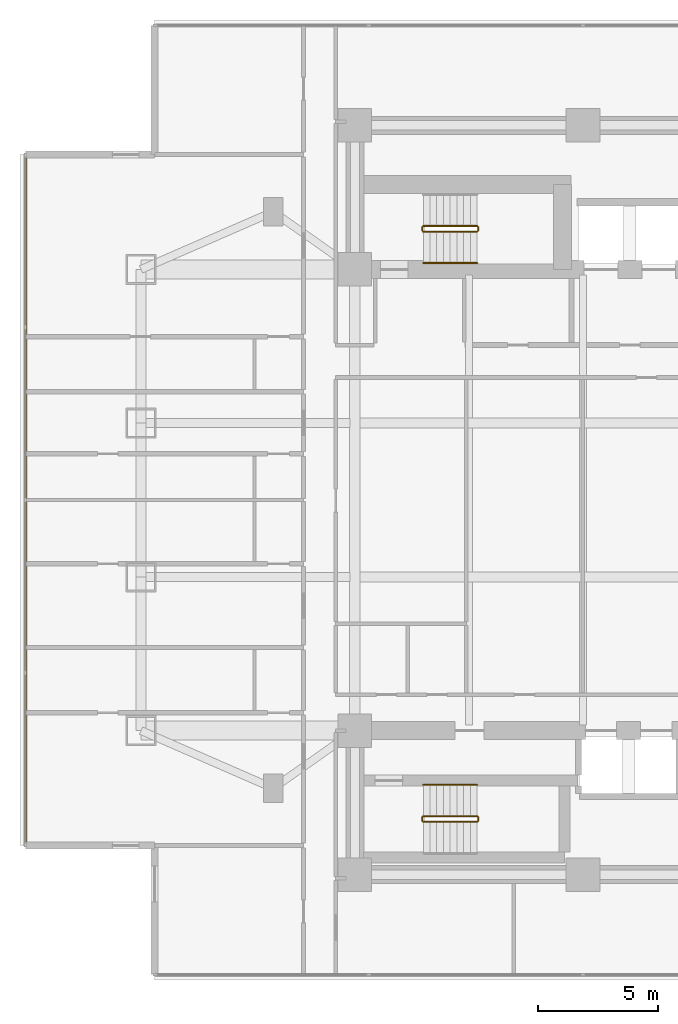
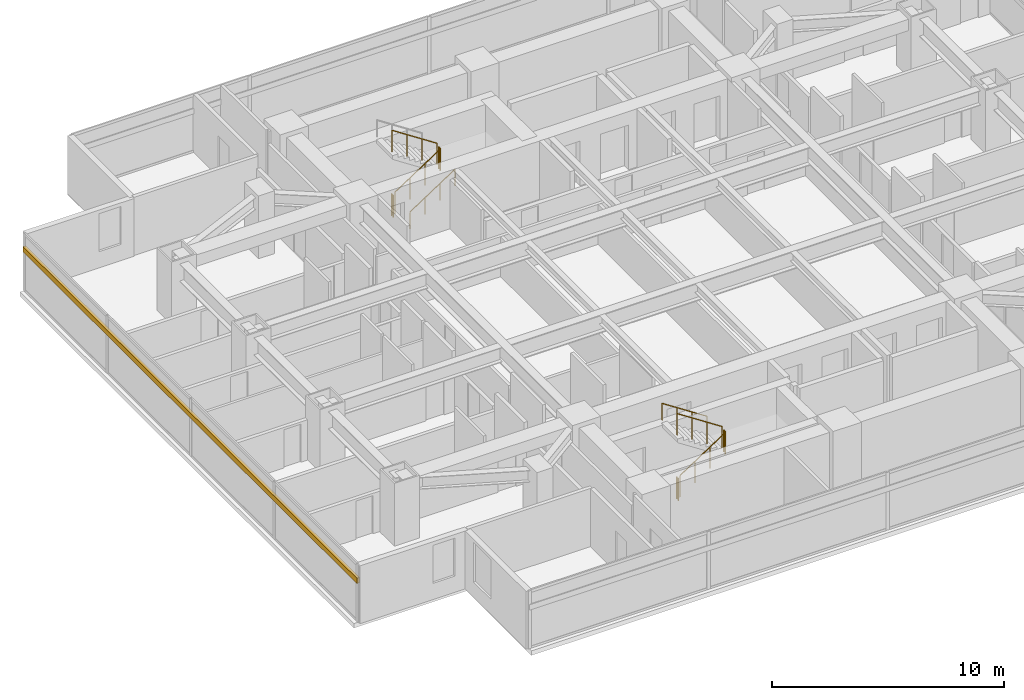
# One storey, part 23 of 26: 10 railings, 1 shading device.
"""IFC4 building model written with IfcOpenShell, lengths in metres."""

import ifcopenshell
import ifcopenshell.guid

model = None  # the IFC model being written
_history = None  # IfcOwnerHistory: only IFC2X3 demands one
_inside = {}  # id of a spatial element -> (the spatial element, [elements in it])
_under = {}  # id of a project, library or spatial element -> (it, [spatial elements below it])
_declared = {}  # id of a project -> (the project, [libraries it declares])
_typed = {}  # id of a type object -> (the type object, [elements of that type])
_made_of = {}  # id of a material, layer set ... -> (it, [elements and type objects made of it])


def new_model(schema):
    """Start an empty IFC model of exactly this schema.

    Asked for "IFC4X3", IfcOpenShell would pick the latest addendum, in which some entities
    have other attributes; the version numbers below select the first issue.
    IFC2X3 requires an IfcOwnerHistory on every rooted entity: one is made here for all.
    """
    global model, _history
    if schema == "IFC4X3":
        model = ifcopenshell.file(schema_version=(4, 3, 0, 0))
    else:
        model = ifcopenshell.file(schema=schema)
    _inside.clear()
    _under.clear()
    _declared.clear()
    _typed.clear()
    _made_of.clear()
    _history = None
    if model.schema == "IFC2X3":
        org = make("IfcOrganization", Name="unknown")
        user = make(
            "IfcPersonAndOrganization",
            ThePerson=make("IfcPerson", FamilyName="unknown"),
            TheOrganization=org,
        )
        app = make(
            "IfcApplication",
            ApplicationDeveloper=org,
            Version="unknown",
            ApplicationFullName="unknown",
            ApplicationIdentifier="unknown",
        )
        _history = make(
            "IfcOwnerHistory",
            OwningUser=user,
            OwningApplication=app,
            ChangeAction="ADDED",
            CreationDate=0,
        )
    return model


def make(cls, **values):
    """One entity of the class cls with the attributes given. An attribute that is None is left unset."""
    return model.create_entity(
        cls, **{name: value for name, value in values.items() if value is not None}
    )


def rooted(cls, **values):
    """An entity with a GlobalId (a new one), such as an element, a storey or a relation."""
    return make(cls, GlobalId=ifcopenshell.guid.new(), OwnerHistory=_history, **values)


def si_unit(unit_type, name, prefix=None):
    """IfcSIUnit, for example si_unit("LENGTHUNIT", "METRE", prefix="MILLI")."""
    return make("IfcSIUnit", UnitType=unit_type, Prefix=prefix, Name=name)


def assignment(units):
    """IfcUnitAssignment: the units of a project."""
    return None if units is None else make("IfcUnitAssignment", Units=units)


def point(xyz):
    """IfcCartesianPoint."""
    return None if xyz is None else make("IfcCartesianPoint", Coordinates=xyz)


def direction(xyz):
    """IfcDirection."""
    return None if xyz is None else make("IfcDirection", DirectionRatios=xyz)


def frame(location, z_axis=None, x_axis=None):
    """IfcAxis2Placement3D, a coordinate frame: its origin and axes. An axis left out is left unset."""
    return make(
        "IfcAxis2Placement3D",
        Location=point(location),
        Axis=direction(z_axis),
        RefDirection=direction(x_axis),
    )


def frame_2d(location, x_axis=None):
    """IfcAxis2Placement2D, a coordinate frame in the plane: its origin and x axis."""
    return make(
        "IfcAxis2Placement2D", Location=point(location), RefDirection=direction(x_axis)
    )


def origin():
    """The frame at (0, 0, 0) with its axes left unset."""
    return frame((0.0, 0.0, 0.0))


def origin_2d():
    """The frame at (0, 0) in the plane with its x axis left unset."""
    return frame_2d((0.0, 0.0))


def place(relative_to, where):
    """IfcLocalPlacement: puts the frame where relative to a parent placement (None: the world)."""
    return make(
        "IfcLocalPlacement", PlacementRelTo=relative_to, RelativePlacement=where
    )


def context(
    kind, dimensions, precision=None, world=None, true_north=None, identifier=None
):
    """IfcGeometricRepresentationContext, for example the 3D "Model" context."""
    return make(
        "IfcGeometricRepresentationContext",
        ContextIdentifier=identifier,
        ContextType=kind,
        CoordinateSpaceDimension=dimensions,
        Precision=precision,
        WorldCoordinateSystem=world,
        TrueNorth=true_north,
    )


def subcontext(parent, identifier, kind, view, scale=None):
    """IfcGeometricRepresentationSubContext, for example "Body" below "Model"."""
    return make(
        "IfcGeometricRepresentationSubContext",
        ContextIdentifier=identifier,
        ContextType=kind,
        ParentContext=parent,
        TargetScale=scale,
        TargetView=view,
    )


def project(units=None, contexts=None):
    """IfcProject with its units and contexts."""
    return rooted(
        "IfcProject",
        Name="project",
        RepresentationContexts=contexts,
        UnitsInContext=assignment(units),
    )


def spatial(cls, under=None, at=None, **own):
    """A site, building, storey or space (cls), placed at a placement, below another one or the project."""
    s = rooted(cls, ObjectPlacement=at, **own)
    if under is not None:
        _under.setdefault(under.id(), (under, []))[1].append(s)
    return s


def profile(cls, at=None, kind="AREA", **sizes):
    """A parametric profile (cls). Its sizes go by their IFC names, for example OverallWidth=200.0."""
    return make(cls, ProfileType=kind, Position=at, **sizes)


def rectangle(**sizes):
    """IfcRectangleProfileDef."""
    return profile("IfcRectangleProfileDef", **sizes)


def circle(**sizes):
    """IfcCircleProfileDef."""
    return profile("IfcCircleProfileDef", **sizes)


def extrude(swept, where, along, depth):
    """IfcExtrudedAreaSolid: the profile swept, set in the frame where, extruded along a direction by depth."""
    return make(
        "IfcExtrudedAreaSolid",
        SweptArea=swept,
        Position=where,
        ExtrudedDirection=direction(along),
        Depth=depth,
    )


def shape(context_of_items, identifier, shape_type, items):
    """IfcShapeRepresentation: the items that make up one representation, for example the "Body"."""
    return make(
        "IfcShapeRepresentation",
        ContextOfItems=context_of_items,
        RepresentationIdentifier=identifier,
        RepresentationType=shape_type,
        Items=items,
    )


def material(Name=None, Category=None):
    """IfcMaterial."""
    return make("IfcMaterial", Name=Name, Category=Category)


def material_profile(
    of_material, cross_section, Name=None, Category=None, Priority=None
):
    """IfcMaterialProfile: a cross section and its material."""
    return make(
        "IfcMaterialProfile",
        Name=Name,
        Material=of_material,
        Profile=cross_section,
        Priority=Priority,
        Category=Category,
    )


def profile_set(profiles, Name=None, composite=None):
    """IfcMaterialProfileSet."""
    return make(
        "IfcMaterialProfileSet",
        Name=Name,
        MaterialProfiles=profiles,
        CompositeProfile=composite,
    )


def made_of(thing, what):
    """Note that an element or type object is made of a material, layer set ...; save() writes the relation."""
    if what is not None:
        _made_of.setdefault(what.id(), (what, []))[1].append(thing)
    return thing


def type_object(cls, material=None, **own):
    """A type object (cls), such as IfcWallType, which elements share."""
    return made_of(rooted(cls, **own), material)


def element(
    cls,
    number,
    at=None,
    inside=None,
    cuts=None,
    type_object=None,
    material=None,
    context=None,
    identifier="Body",
    shape_type=None,
    held_by="IfcProductDefinitionShape",
    body=None,
    shapes=None,
    **own,
):
    """One element of the class cls, such as IfcWall. Its Tag is "e" and its number.

    at: its placement. inside: the storey or other place that contains it. cuts: it is an
    opening in that element (IfcRelVoidsElement). A single representation is given by context,
    identifier, shape_type and body (its items); several are given by shapes. held_by: the class
    of the entity that holds the representations. save() writes the other relations.
    """
    e = rooted(cls, Tag="e%d" % number, ObjectPlacement=at, **own)
    if body is not None:
        shapes = [shape(context, identifier, shape_type, body)]
    if shapes is not None:
        e.Representation = make(held_by, Representations=shapes)
    if inside is not None:
        _inside.setdefault(inside.id(), (inside, []))[1].append(e)
    if cuts is not None:
        rooted(
            "IfcRelVoidsElement", RelatingBuildingElement=cuts, RelatedOpeningElement=e
        )
    if type_object is not None:
        _typed.setdefault(type_object.id(), (type_object, []))[1].append(e)
    return made_of(e, material)


def aggregate(whole, parts):
    """IfcRelAggregates: a whole, such as a stair, and the parts it consists of."""
    return rooted("IfcRelAggregates", RelatingObject=whole, RelatedObjects=parts)


def save(model, path):
    """Write the relations noted so far, then the file.

    IfcRelAggregates (storeys below a building ...), IfcRelContainedInSpatialStructure (elements
    in a storey), IfcRelDefinesByType, IfcRelAssociatesMaterial and IfcRelDeclares: one each for
    every whole, place, type object, material and project.
    """
    for whole, parts in _under.values():
        aggregate(whole, parts)
    for where, things in _inside.values():
        rooted(
            "IfcRelContainedInSpatialStructure",
            RelatedElements=things,
            RelatingStructure=where,
        )
    for kind, things in _typed.values():
        rooted("IfcRelDefinesByType", RelatedObjects=things, RelatingType=kind)
    for what, things in _made_of.values():
        rooted("IfcRelAssociatesMaterial", RelatedObjects=things, RelatingMaterial=what)
    for by, libraries in _declared.values():
        rooted("IfcRelDeclares", RelatingContext=by, RelatedDefinitions=libraries)
    model.write(path)


model = new_model("IFC4")

# Units and contexts
model_context = context("Model", 3, precision=1e-05, world=origin(), true_north=direction((0.0, 1.0)))
body_context = subcontext(model_context, "Body", "Model", "MODEL_VIEW")
ifc_project = project(units=[si_unit("LENGTHUNIT", "METRE"), si_unit("AREAUNIT", "SQUARE_METRE"), si_unit("VOLUMEUNIT", "CUBIC_METRE"), si_unit("PLANEANGLEUNIT", "RADIAN"), si_unit("MASSUNIT", "GRAM", prefix="KILO")], contexts=[model_context])

# Site, building, storey
site_placement = place(None, origin())
site = spatial("IfcSite", under=ifc_project, at=site_placement, CompositionType="ELEMENT")
building_placement = place(site_placement, origin())
building = spatial("IfcBuilding", under=site, at=building_placement, Name="Mirazonda Arch Towers", CompositionType="ELEMENT")
storey_placement = place(building_placement, frame((0.0, 0.0, 48.800048828125)))
storey = spatial("IfcBuildingStorey", under=building, at=storey_placement, Name="L13", CompositionType="ELEMENT", Elevation=48.800048828125)

# Shading device
ifc_material_1 = material(Name="Kiln-Fired Architectural Terracotta", Category="masonry")
ifc_material_profile = material_profile(ifc_material_1, rectangle(XDim=0.139892578125, YDim=0.280029296875, at=origin_2d()), Name="TERRA-BAG-140x280")
ifc_profile_set = profile_set([ifc_material_profile], Name="Kiln-Fired Architectural Terracotta")
shading_device_type = type_object("IfcShadingDeviceType", Name="BAGUETTE-3", PredefinedType="USERDEFINED", material=ifc_profile_set)
shading_device_placement = place(storey_placement, frame((-2.719970703125, 42.384033203125, 2.188720703125), z_axis=(0.0, -1.0, 0.0), x_axis=(1.0, 0.0, 0.0)))
element("IfcShadingDevice", 1, at=shading_device_placement, inside=storey, type_object=shading_device_type, Name="L13 Glazed Terracotta Sun-Screen Baguette CW-L13-T1-W", ObjectType="BAGUETTE", PredefinedType="USERDEFINED", context=body_context, shape_type="SweptSolid", body=[
    extrude(rectangle(XDim=0.139892578125, YDim=0.280029296875, at=origin_2d()), origin(), (0.0, 0.0, 1.0), 28.76806640625),
])

# Railings
ifc_material_2 = material(Name="Architectural Brushed Steel S355", Category="steel")
railing_type_1 = type_object("IfcRailingType", Name="GUARD-STAIR-1120", PredefinedType="GUARDRAIL", material=ifc_material_2)
railing_1_placement = place(storey_placement, frame((13.85009765625, 39.169921875, 0.183349609375)))
element("IfcRailing", 2, at=railing_1_placement, inside=storey, type_object=railing_type_1, Name="L13 ST-T1N stair guard 1", PredefinedType="GUARDRAIL", context=body_context, shape_type="SweptSolid", body=[
    extrude(circle(Radius=0.02392578125, at=origin_2d()), frame((0.0, 0.0, 1.1259765625), z_axis=(0.836636935527, 0.0, 0.547757827979), x_axis=(0.0, 1.0, 0.0)), (0.0, 0.0, 1.0), 2.677490234375),
    extrude(circle(Radius=0.02099609375, at=origin_2d()), origin(), (0.0, 0.0, 1.0), 1.101806640625),
    extrude(circle(Radius=0.02099609375, at=origin_2d()), frame((0.74658203125, 0.0, 0.48876953125)), (0.0, 0.0, 1.0), 1.101806640625),
    extrude(circle(Radius=0.02099609375, at=origin_2d()), frame((1.493408203125, 0.0, 0.977783203125)), (0.0, 0.0, 1.0), 1.101806640625),
    extrude(circle(Radius=0.02099609375, at=origin_2d()), frame((2.239990234375, 0.0, 1.466552734375)), (0.0, 0.0, 1.0), 1.101806640625),
])
railing_2_placement = place(storey_placement, frame((16.139892578125, 39.219970703125, 1.64990234375)))
element("IfcRailing", 3, at=railing_2_placement, inside=storey, type_object=railing_type_1, Name="L13 ST-T1N stair guard 2", PredefinedType="GUARDRAIL", context=body_context, shape_type="SweptSolid", body=[
    extrude(circle(Radius=0.02392578125, at=origin_2d()), frame((0.0, 0.0, 1.1259765625), z_axis=(0.0, 1.0, 0.0), x_axis=(-1.0, 0.0, 0.0)), (0.0, 0.0, 1.0), 0.14013671875),
    extrude(circle(Radius=0.02099609375, at=origin_2d()), origin(), (0.0, 0.0, 1.0), 1.101806640625),
    extrude(circle(Radius=0.02099609375, at=origin_2d()), frame((0.0, 0.14013671875, 0.0)), (0.0, 0.0, 1.0), 1.101806640625),
])
railing_3_placement = place(storey_placement, frame((16.090087890625, 39.409912109375, 1.833251953125)))
element("IfcRailing", 4, at=railing_3_placement, inside=storey, type_object=railing_type_1, Name="L13 ST-T1N stair guard 3", PredefinedType="GUARDRAIL", context=body_context, shape_type="SweptSolid", body=[
    extrude(circle(Radius=0.02392578125, at=origin_2d()), frame((0.0, 0.0, 1.1259765625), z_axis=(-0.836595146698, 0.0, 0.547821650285), x_axis=(0.0, -1.0, 0.0)), (0.0, 0.0, 1.0), 2.677490234375),
    extrude(circle(Radius=0.02099609375, at=origin_2d()), origin(), (0.0, 0.0, 1.0), 1.101806640625),
    extrude(circle(Radius=0.02099609375, at=origin_2d()), frame((-0.74658203125, 0.0, 0.489013671875)), (0.0, 0.0, 1.0), 1.101806640625),
    extrude(circle(Radius=0.02099609375, at=origin_2d()), frame((-1.493408203125, 0.0, 0.977783203125)), (0.0, 0.0, 1.0), 1.101806640625),
    extrude(circle(Radius=0.02099609375, at=origin_2d()), frame((-2.239990234375, 0.0, 1.466796875)), (0.0, 0.0, 1.0), 1.101806640625),
])
railing_4_placement = place(storey_placement, frame((13.800048828125, 39.219970703125, 0.0)))
element("IfcRailing", 5, at=railing_4_placement, inside=storey, type_object=railing_type_1, Name="L13 ST-T1N stair guard 4", PredefinedType="GUARDRAIL", context=body_context, shape_type="SweptSolid", body=[
    extrude(circle(Radius=0.02392578125, at=origin_2d()), frame((0.0, 0.0, 1.1259765625), z_axis=(0.0, 1.0, 0.0), x_axis=(-1.0, 0.0, 0.0)), (0.0, 0.0, 1.0), 0.14013671875),
    extrude(circle(Radius=0.02099609375, at=origin_2d()), origin(), (0.0, 0.0, 1.0), 1.101806640625),
    extrude(circle(Radius=0.02099609375, at=origin_2d()), frame((0.0, 0.14013671875, 0.0)), (0.0, 0.0, 1.0), 1.101806640625),
])
railing_5_placement = place(storey_placement, frame((13.85009765625, 14.60009765625, 0.183349609375)))
element("IfcRailing", 6, at=railing_5_placement, inside=storey, type_object=railing_type_1, Name="L13 ST-T1S stair guard 1", PredefinedType="GUARDRAIL", context=body_context, shape_type="SweptSolid", body=[
    extrude(circle(Radius=0.02392578125, at=origin_2d()), frame((0.0, 0.0, 1.1259765625), z_axis=(0.836636935527, 0.0, 0.547757827979), x_axis=(0.0, 1.0, 0.0)), (0.0, 0.0, 1.0), 2.677490234375),
    extrude(circle(Radius=0.02099609375, at=origin_2d()), origin(), (0.0, 0.0, 1.0), 1.101806640625),
    extrude(circle(Radius=0.02099609375, at=origin_2d()), frame((0.74658203125, 0.0, 0.48876953125)), (0.0, 0.0, 1.0), 1.101806640625),
    extrude(circle(Radius=0.02099609375, at=origin_2d()), frame((1.493408203125, 0.0, 0.977783203125)), (0.0, 0.0, 1.0), 1.101806640625),
    extrude(circle(Radius=0.02099609375, at=origin_2d()), frame((2.239990234375, 0.0, 1.466552734375)), (0.0, 0.0, 1.0), 1.101806640625),
])
railing_6_placement = place(storey_placement, frame((16.139892578125, 14.64990234375, 1.64990234375)))
element("IfcRailing", 7, at=railing_6_placement, inside=storey, type_object=railing_type_1, Name="L13 ST-T1S stair guard 2", PredefinedType="GUARDRAIL", context=body_context, shape_type="SweptSolid", body=[
    extrude(circle(Radius=0.02392578125, at=origin_2d()), frame((0.0, 0.0, 1.1259765625), z_axis=(0.0, 1.0, 0.0), x_axis=(-1.0, 0.0, 0.0)), (0.0, 0.0, 1.0), 0.14013671875),
    extrude(circle(Radius=0.02099609375, at=origin_2d()), origin(), (0.0, 0.0, 1.0), 1.101806640625),
    extrude(circle(Radius=0.02099609375, at=origin_2d()), frame((0.0, 0.14013671875, 0.0)), (0.0, 0.0, 1.0), 1.101806640625),
])
railing_7_placement = place(storey_placement, frame((16.090087890625, 14.840087890625, 1.833251953125)))
element("IfcRailing", 8, at=railing_7_placement, inside=storey, type_object=railing_type_1, Name="L13 ST-T1S stair guard 3", PredefinedType="GUARDRAIL", context=body_context, shape_type="SweptSolid", body=[
    extrude(circle(Radius=0.02392578125, at=origin_2d()), frame((0.0, 0.0, 1.1259765625), z_axis=(-0.836595146698, 0.0, 0.547821650285), x_axis=(0.0, -1.0, 0.0)), (0.0, 0.0, 1.0), 2.677490234375),
    extrude(circle(Radius=0.02099609375, at=origin_2d()), origin(), (0.0, 0.0, 1.0), 1.101806640625),
    extrude(circle(Radius=0.02099609375, at=origin_2d()), frame((-0.74658203125, 0.0, 0.489013671875)), (0.0, 0.0, 1.0), 1.101806640625),
    extrude(circle(Radius=0.02099609375, at=origin_2d()), frame((-1.493408203125, 0.0, 0.977783203125)), (0.0, 0.0, 1.0), 1.101806640625),
    extrude(circle(Radius=0.02099609375, at=origin_2d()), frame((-2.239990234375, 0.0, 1.466796875)), (0.0, 0.0, 1.0), 1.101806640625),
])
railing_8_placement = place(storey_placement, frame((13.800048828125, 14.64990234375, 0.0)))
element("IfcRailing", 9, at=railing_8_placement, inside=storey, type_object=railing_type_1, Name="L13 ST-T1S stair guard 4", PredefinedType="GUARDRAIL", context=body_context, shape_type="SweptSolid", body=[
    extrude(circle(Radius=0.02392578125, at=origin_2d()), frame((0.0, 0.0, 1.1259765625), z_axis=(0.0, 1.0, 0.0), x_axis=(-1.0, 0.0, 0.0)), (0.0, 0.0, 1.0), 0.14013671875),
    extrude(circle(Radius=0.02099609375, at=origin_2d()), origin(), (0.0, 0.0, 1.0), 1.101806640625),
    extrude(circle(Radius=0.02099609375, at=origin_2d()), frame((0.0, 0.14013671875, 0.0)), (0.0, 0.0, 1.0), 1.101806640625),
])
railing_type_2 = type_object("IfcRailingType", Name="HANDRAIL-915", PredefinedType="HANDRAIL", material=ifc_material_2)
railing_9_placement = place(storey_placement, frame((13.85009765625, 37.8701171875, 0.183349609375)))
element("IfcRailing", 10, at=railing_9_placement, inside=storey, type_object=railing_type_2, Name="L13 ST-T1N stair handrail 1", PredefinedType="HANDRAIL", context=body_context, shape_type="SweptSolid", body=[
    extrude(circle(Radius=0.02392578125, at=origin_2d()), frame((0.0, 0.0, 0.8759765625), z_axis=(0.836636935527, 0.0, 0.547757827979), x_axis=(0.0, 1.0, 0.0)), (0.0, 0.0, 1.0), 2.677490234375),
    extrude(circle(Radius=0.02099609375, at=origin_2d()), origin(), (0.0, 0.0, 1.0), 0.851806640625),
    extrude(circle(Radius=0.02099609375, at=origin_2d()), frame((0.74658203125, 0.0, 0.48876953125)), (0.0, 0.0, 1.0), 0.851806640625),
    extrude(circle(Radius=0.02099609375, at=origin_2d()), frame((1.493408203125, 0.0, 0.977783203125)), (0.0, 0.0, 1.0), 0.851806640625),
    extrude(circle(Radius=0.02099609375, at=origin_2d()), frame((2.239990234375, 0.0, 1.466552734375)), (0.0, 0.0, 1.0), 0.851806640625),
])
railing_10_placement = place(storey_placement, frame((16.090087890625, 16.139892578125, 1.833251953125)))
element("IfcRailing", 11, at=railing_10_placement, inside=storey, type_object=railing_type_2, Name="L13 ST-T1S stair handrail 2", PredefinedType="HANDRAIL", context=body_context, shape_type="SweptSolid", body=[
    extrude(circle(Radius=0.02392578125, at=origin_2d()), frame((0.0, 0.0, 0.8759765625), z_axis=(-0.836595146698, 0.0, 0.547821650285), x_axis=(0.0, -1.0, 0.0)), (0.0, 0.0, 1.0), 2.677490234375),
    extrude(circle(Radius=0.02099609375, at=origin_2d()), origin(), (0.0, 0.0, 1.0), 0.851806640625),
    extrude(circle(Radius=0.02099609375, at=origin_2d()), frame((-0.74658203125, 0.0, 0.489013671875)), (0.0, 0.0, 1.0), 0.851806640625),
    extrude(circle(Radius=0.02099609375, at=origin_2d()), frame((-1.493408203125, 0.0, 0.977783203125)), (0.0, 0.0, 1.0), 0.851806640625),
    extrude(circle(Radius=0.02099609375, at=origin_2d()), frame((-2.239990234375, 0.0, 1.466796875)), (0.0, 0.0, 1.0), 0.851806640625),
])

save(model, "model.ifc")
